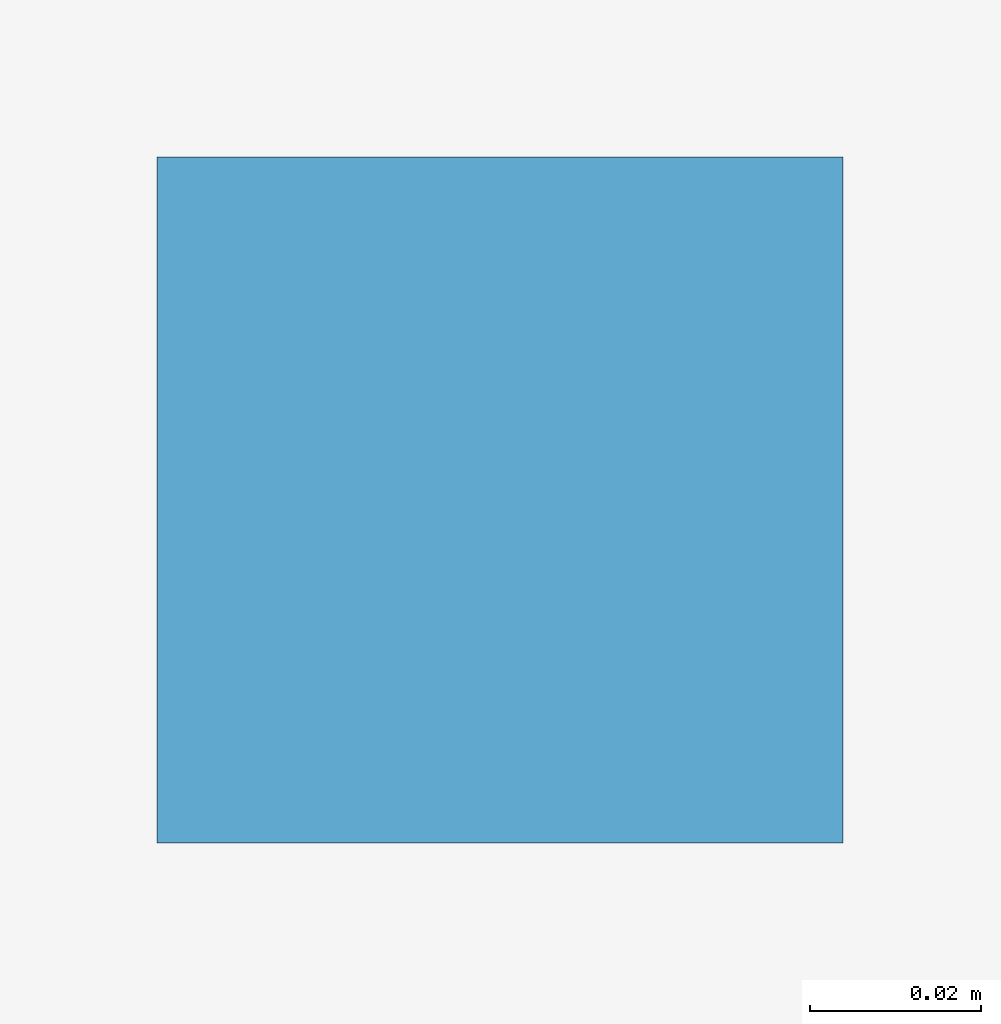
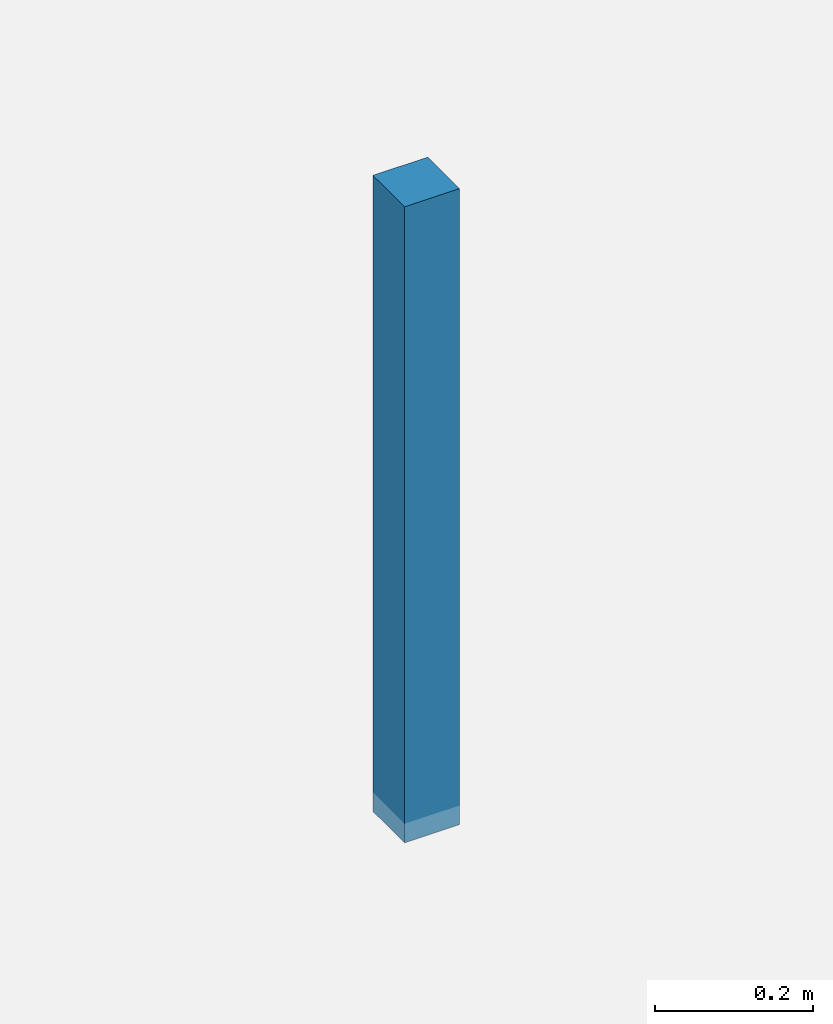
# One storey, part 12 of 17: 1 discrete accessory.
"""IFC4 building model written with IfcOpenShell, lengths in metres."""

from ifc_helpers import new_model, si_unit, direction, frame, origin, origin_2d, place, context, subcontext, project, spatial, rectangle, extrude, source, transform, mapped, material, type_object, element, save


model = new_model("IFC4")

# Units and contexts
model_context = context("Model", 3, precision=1e-05, world=origin(), true_north=direction((0.0, 1.0)))
body_context = subcontext(model_context, "Body", "Model", "MODEL_VIEW")
ifc_project = project(units=[si_unit("LENGTHUNIT", "METRE"), si_unit("AREAUNIT", "SQUARE_METRE"), si_unit("VOLUMEUNIT", "CUBIC_METRE"), si_unit("PLANEANGLEUNIT", "RADIAN"), si_unit("MASSUNIT", "GRAM", prefix="KILO")], contexts=[model_context])

# Site, building, storey
site_placement = place(None, origin())
site = spatial("IfcSite", under=ifc_project, at=site_placement, CompositionType="ELEMENT")
building_placement = place(site_placement, origin())
building = spatial("IfcBuilding", under=site, at=building_placement, Name="Giltprow Tower", CompositionType="ELEMENT")
storey_placement = place(building_placement, frame((0.0, 0.0, 33.199951171875)))
storey = spatial("IfcBuildingStorey", under=building, at=storey_placement, Name="L08", CompositionType="ELEMENT", Elevation=33.199951171875)

# Discrete accessory
ifc_material = material(Name="Structural steel Q355B", Category="steel")
discrete_accessory_type = type_object("IfcDiscreteAccessoryType", Name="ACC-CLG-HANGER", PredefinedType="BRACKET", material=ifc_material)
shared_shape = source(origin(), body_context, "Body", "SweptSolid", [
    extrude(rectangle(XDim=0.080078125, YDim=0.080078125, at=origin_2d()), origin(), (0.0, 0.0, 1.0), 0.97998046875),
])
discrete_accessory_placement = place(storey_placement, frame((25.39990234375, 19.364013671875, 2.719970703125), z_axis=(0.0, 0.0, 1.0), x_axis=(1.0, 0.0, 0.0)))
element("IfcDiscreteAccessory", 1, at=discrete_accessory_placement, inside=storey, type_object=discrete_accessory_type, Name="L08 Office Acoustic Ceiling Suspension Hanger", PredefinedType="BRACKET", context=body_context, shape_type="MappedRepresentation", body=[
    mapped(shared_shape, transform((0.0, 0.0, 0.0), x_axis=(1.0, 0.0, 0.0), y_axis=(0.0, 1.0, 0.0), z_axis=(0.0, 0.0, 1.0), scale=1.0)),
])

save(model, "model.ifc")
